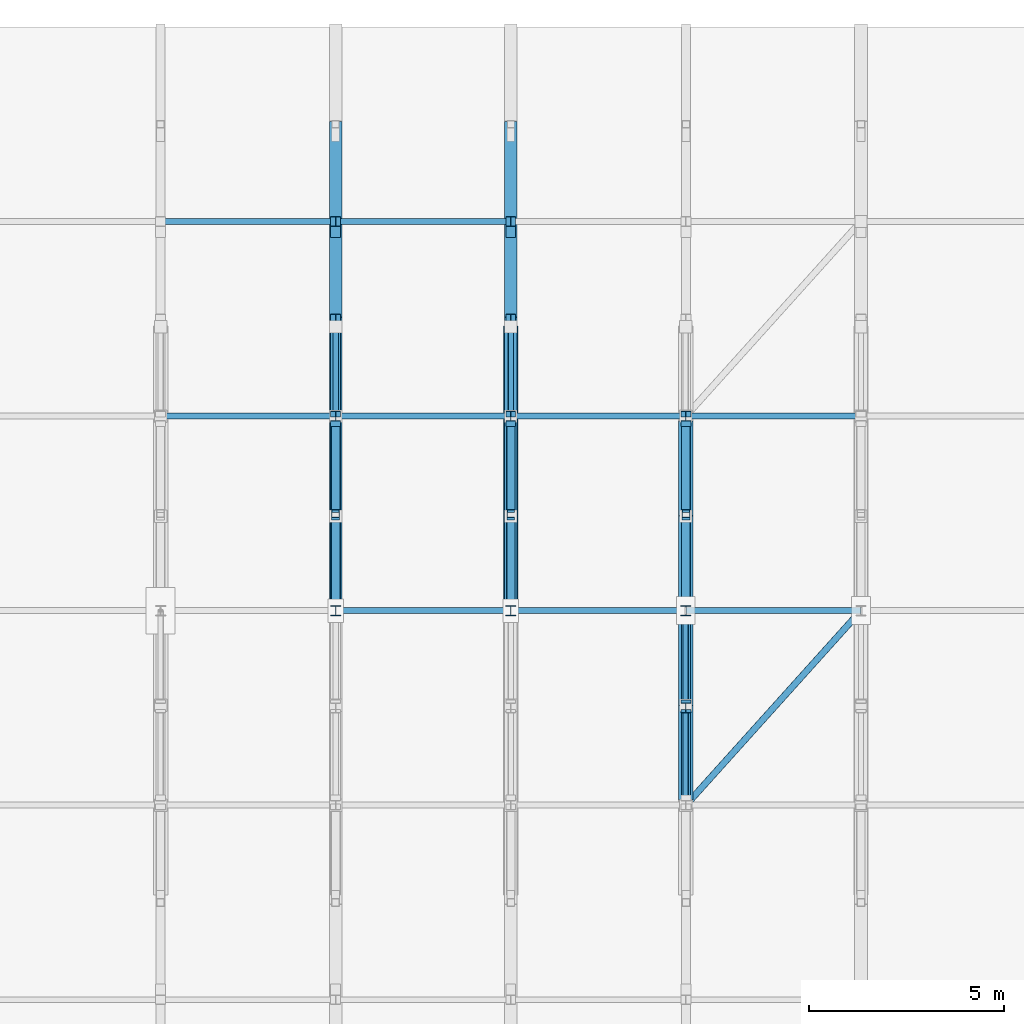
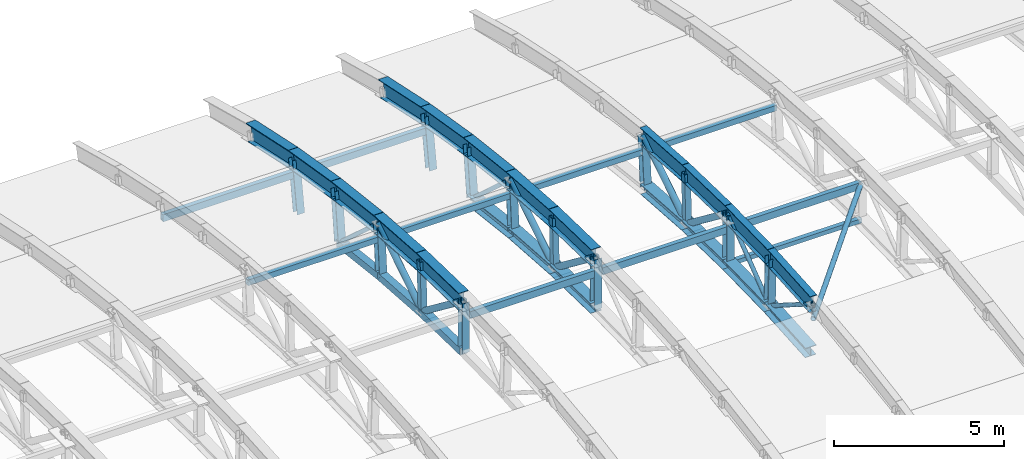
# One storey, part 18 of 53: 45 members, 14 beams.
"""IFC4 building model written with IfcOpenShell, lengths in metres."""

from ifc_helpers import new_model, si_unit, direction, frame, origin, origin_2d, place, context, subcontext, project, spatial, hollow_rectangle, hollow_circle, i_section, extrude, material, material_profile, profile_set, type_object, element, save


model = new_model("IFC4")

# Units and contexts
model_context = context("Model", 3, precision=1e-05, world=origin(), true_north=direction((0.0, 1.0)))
body_context = subcontext(model_context, "Body", "Model", "MODEL_VIEW")
ifc_project = project(units=[si_unit("LENGTHUNIT", "METRE"), si_unit("AREAUNIT", "SQUARE_METRE"), si_unit("VOLUMEUNIT", "CUBIC_METRE"), si_unit("PLANEANGLEUNIT", "RADIAN"), si_unit("MASSUNIT", "GRAM", prefix="KILO")], contexts=[model_context])

# Site, building, storey
site_placement = place(None, origin())
site = spatial("IfcSite", under=ifc_project, at=site_placement, CompositionType="ELEMENT")
building_placement = place(site_placement, origin())
building = spatial("IfcBuilding", under=site, at=building_placement, Name="Cazmaro Siding Exhibition Halls", CompositionType="ELEMENT")
storey_placement = place(building_placement, frame((0.0, 0.0, 21.0)))
storey = spatial("IfcBuildingStorey", under=building, at=storey_placement, Name="L04", CompositionType="ELEMENT", Elevation=21.0)

# Beams
ifc_material_1 = material(Name="Steel ASTM A992 Grade 50", Category="steel")
ifc_material_profile_1 = material_profile(ifc_material_1, i_section(OverallWidth=0.327880859375, OverallDepth=0.626953125, WebThickness=0.01708984375, FlangeThickness=0.028076171875, at=origin_2d()), Name="W24X146")
ifc_profile_set_1 = profile_set([ifc_material_profile_1], Name="Steel ASTM A992 Grade 50")
beam_type_1 = type_object("IfcBeamType", Name="AR-01", PredefinedType="USERDEFINED", material=ifc_profile_set_1)
beam_1_placement = place(storey_placement, frame((99.0, 94.0, 2.5), z_axis=(0.0, 0.999730009742, -0.023235912336), x_axis=(-1.0, 0.0, 0.0)))
element("IfcBeam", 1, at=beam_1_placement, inside=storey, type_object=beam_type_1, Name="Space frame barrel vault arched rib AR-01 BM-0835", ObjectType="ARCHED RIB", PredefinedType="USERDEFINED", context=body_context, shape_type="SweptSolid", body=[
    extrude(i_section(OverallWidth=0.327880859375, OverallDepth=0.626953125, WebThickness=0.01708984375, FlangeThickness=0.028076171875, at=origin_2d()), origin(), (0.0, 0.0, 1.0), 2.500732421875),
])
beam_2_placement = place(storey_placement, frame((99.0, 96.5, 2.44189453125), z_axis=(0.0, 0.997537204184, -0.070139334669), x_axis=(-1.0, 0.0, 0.0)))
element("IfcBeam", 2, at=beam_2_placement, inside=storey, type_object=beam_type_1, Name="Space frame barrel vault arched rib AR-01 BM-0836", ObjectType="ARCHED RIB", PredefinedType="USERDEFINED", context=body_context, shape_type="SweptSolid", body=[
    extrude(i_section(OverallWidth=0.327880859375, OverallDepth=0.626953125, WebThickness=0.01708984375, FlangeThickness=0.028076171875, at=origin_2d()), origin(), (0.0, 0.0, 1.0), 2.506103515625),
])
beam_3_placement = place(storey_placement, frame((99.0, 99.0, 2.26611328125), z_axis=(0.0, 0.993147293786, -0.116869383693), x_axis=(-1.0, 0.0, 0.0)))
element("IfcBeam", 3, at=beam_3_placement, inside=storey, type_object=beam_type_1, Name="Space frame barrel vault arched rib AR-01 BM-0837", ObjectType="ARCHED RIB", PredefinedType="USERDEFINED", context=body_context, shape_type="SweptSolid", body=[
    extrude(i_section(OverallWidth=0.327880859375, OverallDepth=0.626953125, WebThickness=0.01708984375, FlangeThickness=0.028076171875, at=origin_2d()), origin(), (0.0, 0.0, 1.0), 2.517333984375),
])
beam_4_placement = place(storey_placement, frame((99.0, 101.5, 1.971923828125), z_axis=(0.0, 0.98649787474, -0.163774061236), x_axis=(-1.0, 0.0, 0.0)))
element("IfcBeam", 4, at=beam_4_placement, inside=storey, type_object=beam_type_1, Name="Space frame barrel vault arched rib AR-01 BM-0838", ObjectType="ARCHED RIB", PredefinedType="USERDEFINED", context=body_context, shape_type="SweptSolid", body=[
    extrude(i_section(OverallWidth=0.327880859375, OverallDepth=0.626953125, WebThickness=0.01708984375, FlangeThickness=0.028076171875, at=origin_2d()), origin(), (0.0, 0.0, 1.0), 2.5341796875),
])
beam_5_placement = place(storey_placement, frame((99.0, 104.0, 1.556884765625), z_axis=(0.0, 0.977710100146, -0.209959424826), x_axis=(-1.0, 0.0, 0.0)))
element("IfcBeam", 5, at=beam_5_placement, inside=storey, type_object=beam_type_1, Name="Space frame barrel vault arched rib AR-01 BM-0839", ObjectType="ARCHED RIB", PredefinedType="USERDEFINED", context=body_context, shape_type="SweptSolid", body=[
    extrude(i_section(OverallWidth=0.327880859375, OverallDepth=0.626953125, WebThickness=0.01708984375, FlangeThickness=0.028076171875, at=origin_2d()), origin(), (0.0, 0.0, 1.0), 2.556884765625),
])
ifc_material_2 = material(Name="Steel ASTM A992 Grade 50", Category="steel")
ifc_material_profile_2 = material_profile(ifc_material_2, i_section(OverallWidth=0.324951171875, OverallDepth=0.612060546875, WebThickness=0.012939453125, FlangeThickness=0.01904296875, at=origin_2d()), Name="W24X104")
ifc_profile_set_2 = profile_set([ifc_material_profile_2], Name="Steel ASTM A992 Grade 50")
beam_type_2 = type_object("IfcBeamType", Name="AR-02", PredefinedType="USERDEFINED", material=ifc_profile_set_2)
beam_6_placement = place(storey_placement, frame((103.5, 94.0, 2.5), z_axis=(0.0, 0.999730009742, -0.023235912336), x_axis=(-1.0, 0.0, 0.0)))
element("IfcBeam", 6, at=beam_6_placement, inside=storey, type_object=beam_type_2, Name="Space frame barrel vault arched rib AR-02 BM-0859", ObjectType="ARCHED RIB", PredefinedType="USERDEFINED", context=body_context, shape_type="SweptSolid", body=[
    extrude(i_section(OverallWidth=0.324951171875, OverallDepth=0.612060546875, WebThickness=0.012939453125, FlangeThickness=0.01904296875, at=origin_2d()), origin(), (0.0, 0.0, 1.0), 2.500732421875),
])
beam_7_placement = place(storey_placement, frame((103.5, 96.5, 2.44189453125), z_axis=(0.0, 0.997537204184, -0.070139334669), x_axis=(-1.0, 0.0, 0.0)))
element("IfcBeam", 7, at=beam_7_placement, inside=storey, type_object=beam_type_2, Name="Space frame barrel vault arched rib AR-02 BM-0860", ObjectType="ARCHED RIB", PredefinedType="USERDEFINED", context=body_context, shape_type="SweptSolid", body=[
    extrude(i_section(OverallWidth=0.324951171875, OverallDepth=0.612060546875, WebThickness=0.012939453125, FlangeThickness=0.01904296875, at=origin_2d()), origin(), (0.0, 0.0, 1.0), 2.506103515625),
])
beam_8_placement = place(storey_placement, frame((103.5, 99.0, 2.26611328125), z_axis=(0.0, 0.993147293786, -0.116869383693), x_axis=(-1.0, 0.0, 0.0)))
element("IfcBeam", 8, at=beam_8_placement, inside=storey, type_object=beam_type_2, Name="Space frame barrel vault arched rib AR-02 BM-0861", ObjectType="ARCHED RIB", PredefinedType="USERDEFINED", context=body_context, shape_type="SweptSolid", body=[
    extrude(i_section(OverallWidth=0.324951171875, OverallDepth=0.612060546875, WebThickness=0.012939453125, FlangeThickness=0.01904296875, at=origin_2d()), origin(), (0.0, 0.0, 1.0), 2.517333984375),
])
beam_9_placement = place(storey_placement, frame((103.5, 101.5, 1.971923828125), z_axis=(0.0, 0.98649787474, -0.163774061236), x_axis=(-1.0, 0.0, 0.0)))
element("IfcBeam", 9, at=beam_9_placement, inside=storey, type_object=beam_type_2, Name="Space frame barrel vault arched rib AR-02 BM-0862", ObjectType="ARCHED RIB", PredefinedType="USERDEFINED", context=body_context, shape_type="SweptSolid", body=[
    extrude(i_section(OverallWidth=0.324951171875, OverallDepth=0.612060546875, WebThickness=0.012939453125, FlangeThickness=0.01904296875, at=origin_2d()), origin(), (0.0, 0.0, 1.0), 2.5341796875),
])
beam_10_placement = place(storey_placement, frame((103.5, 104.0, 1.556884765625), z_axis=(0.0, 0.977710100146, -0.209959424826), x_axis=(-1.0, 0.0, 0.0)))
element("IfcBeam", 10, at=beam_10_placement, inside=storey, type_object=beam_type_2, Name="Space frame barrel vault arched rib AR-02 BM-0863", ObjectType="ARCHED RIB", PredefinedType="USERDEFINED", context=body_context, shape_type="SweptSolid", body=[
    extrude(i_section(OverallWidth=0.324951171875, OverallDepth=0.612060546875, WebThickness=0.012939453125, FlangeThickness=0.01904296875, at=origin_2d()), origin(), (0.0, 0.0, 1.0), 2.556884765625),
])
ifc_material_3 = material(Name="Steel ASTM A992 Grade 50", Category="steel")
ifc_material_profile_3 = material_profile(ifc_material_3, i_section(OverallWidth=0.22900390625, OverallDepth=0.612060546875, WebThickness=0.011962890625, FlangeThickness=0.02001953125, at=origin_2d()), Name="W24X84")
ifc_profile_set_3 = profile_set([ifc_material_profile_3], Name="Steel ASTM A992 Grade 50")
beam_type_3 = type_object("IfcBeamType", Name="AR-03", PredefinedType="USERDEFINED", material=ifc_profile_set_3)
beam_11_placement = place(storey_placement, frame((108.0, 89.0, 2.26611328125), z_axis=(0.0, 0.997537204184, 0.070139334669), x_axis=(-1.0, 0.0, 0.0)))
element("IfcBeam", 11, at=beam_11_placement, inside=storey, type_object=beam_type_3, Name="Space frame barrel vault arched rib AR-03 BM-0881", ObjectType="ARCHED RIB", PredefinedType="USERDEFINED", context=body_context, shape_type="SweptSolid", body=[
    extrude(i_section(OverallWidth=0.22900390625, OverallDepth=0.612060546875, WebThickness=0.011962890625, FlangeThickness=0.02001953125, at=origin_2d()), origin(), (0.0, 0.0, 1.0), 2.506103515625),
])
for number, where, z_axis, x_axis, name in (
    (12, (108.0, 91.5, 2.44189453125), (0.0, 0.999730009742, 0.023235912336), (-1.0, 0.0, 0.0), "Space frame barrel vault arched rib AR-03 BM-0882"),
    (13, (108.0, 94.0, 2.5), (0.0, 0.999730009742, -0.023235912336), (-1.0, 0.0, 0.0), "Space frame barrel vault arched rib AR-03 BM-0883"),
):
    element("IfcBeam", number, at=place(storey_placement, frame(where, z_axis=z_axis, x_axis=x_axis)), inside=storey, type_object=beam_type_3, Name=name, ObjectType="ARCHED RIB", PredefinedType="USERDEFINED", context=body_context, shape_type="SweptSolid", body=[
        extrude(i_section(OverallWidth=0.22900390625, OverallDepth=0.612060546875, WebThickness=0.011962890625, FlangeThickness=0.02001953125, at=origin_2d()), origin(), (0.0, 0.0, 1.0), 2.500732421875),
    ])
beam_12_placement = place(storey_placement, frame((108.0, 96.5, 2.44189453125), z_axis=(0.0, 0.997537204184, -0.070139334669), x_axis=(-1.0, 0.0, 0.0)))
element("IfcBeam", 14, at=beam_12_placement, inside=storey, type_object=beam_type_3, Name="Space frame barrel vault arched rib AR-03 BM-0884", ObjectType="ARCHED RIB", PredefinedType="USERDEFINED", context=body_context, shape_type="SweptSolid", body=[
    extrude(i_section(OverallWidth=0.22900390625, OverallDepth=0.612060546875, WebThickness=0.011962890625, FlangeThickness=0.02001953125, at=origin_2d()), origin(), (0.0, 0.0, 1.0), 2.506103515625),
])

# Members
ifc_material_4 = material(Name="Steel ASTM A500 Grade C", Category="steel")
ifc_material_profile_4 = material_profile(ifc_material_4, hollow_rectangle(XDim=0.152099609375, YDim=0.152099609375, WallThickness=0.009033203125, at=origin_2d()), Name="HSS6X6X3/8")
ifc_profile_set_4 = profile_set([ifc_material_profile_4], Name="Steel ASTM A500 Grade C")
member_type_1 = type_object("IfcMemberType", Name="CS-01", PredefinedType="STRUT", material=ifc_profile_set_4)
member_1_placement = place(storey_placement, frame((108.0, 94.0, 0.699951171875), z_axis=(1.0, 0.0, 0.0), x_axis=(0.0, 1.0, 0.0)))
element("IfcMember", 15, at=member_1_placement, inside=storey, type_object=member_type_1, Name="Space frame vault ridge compression strut CS-01 MEM-2145", PredefinedType="STRUT", context=body_context, shape_type="SweptSolid", body=[
    extrude(hollow_rectangle(XDim=0.152099609375, YDim=0.152099609375, WallThickness=0.009033203125, at=origin_2d()), origin(), (0.0, 0.0, 1.0), 4.5),
])
ifc_material_5 = material(Name="Steel ASTM A500 Grade C", Category="steel")
ifc_material_profile_5 = material_profile(ifc_material_5, hollow_rectangle(XDim=0.152099609375, YDim=0.202880859375, WallThickness=0.011962890625, at=origin_2d()), Name="HSS8X6X1/2")
ifc_profile_set_5 = profile_set([ifc_material_profile_5], Name="Steel ASTM A500 Grade C")
member_type_2 = type_object("IfcMemberType", Name="RP-01", PredefinedType="PURLIN", material=ifc_profile_set_5)
for number, where, z_axis, x_axis, name in (
    (16, (94.5, 99.0, 1.72607421875), (1.0, 0.0, 0.0), (0.0, 1.0, 0.0), "Space frame barrel vault purlin RP-01 MEM-2103"),
    (17, (99.0, 99.0, 1.72607421875), (1.0, 0.0, 0.0), (0.0, 1.0, 0.0), "Space frame barrel vault purlin RP-01 MEM-2114"),
    (18, (103.5, 99.0, 1.72607421875), (1.0, 0.0, 0.0), (0.0, 1.0, 0.0), "Space frame barrel vault purlin RP-01 MEM-2125"),
    (19, (108.0, 99.0, 1.72607421875), (1.0, 0.0, 0.0), (0.0, 1.0, 0.0), "Space frame barrel vault purlin RP-01 MEM-2136"),
):
    element("IfcMember", number, at=place(storey_placement, frame(where, z_axis=z_axis, x_axis=x_axis)), inside=storey, type_object=member_type_2, Name=name, PredefinedType="PURLIN", context=body_context, shape_type="SweptSolid", body=[
        extrude(hollow_rectangle(XDim=0.152099609375, YDim=0.202880859375, WallThickness=0.011962890625, at=origin_2d()), origin(), (0.0, 0.0, 1.0), 4.5),
    ])
ifc_material_6 = material(Name="Steel ASTM A500 Grade C", Category="steel")
ifc_material_profile_6 = material_profile(ifc_material_6, hollow_rectangle(XDim=0.152099609375, YDim=0.25390625, WallThickness=0.011962890625, at=origin_2d()), Name="HSS10X6X1/2")
ifc_profile_set_6 = profile_set([ifc_material_profile_6], Name="Steel ASTM A500 Grade C")
member_type_3 = type_object("IfcMemberType", Name="RP-04", PredefinedType="PURLIN", material=ifc_profile_set_6)
for number, where, z_axis, x_axis, name in (
    (20, (94.5, 104.0, 1.01708984375), (1.0, 0.0, 0.0), (0.0, 1.0, 0.0), "Space frame barrel vault purlin RP-04 MEM-2104"),
    (21, (99.0, 94.0, 1.9599609375), (1.0, 0.0, 0.0), (0.0, 1.0, 0.0), "Space frame barrel vault purlin RP-04 MEM-2113"),
    (22, (99.0, 104.0, 1.01708984375), (1.0, 0.0, 0.0), (0.0, 1.0, 0.0), "Space frame barrel vault purlin RP-04 MEM-2115"),
    (23, (103.5, 94.0, 1.9599609375), (1.0, 0.0, 0.0), (0.0, 1.0, 0.0), "Space frame barrel vault purlin RP-04 MEM-2124"),
    (24, (108.0, 94.0, 1.9599609375), (1.0, 0.0, 0.0), (0.0, 1.0, 0.0), "Space frame barrel vault purlin RP-04 MEM-2135"),
):
    element("IfcMember", number, at=place(storey_placement, frame(where, z_axis=z_axis, x_axis=x_axis)), inside=storey, type_object=member_type_3, Name=name, PredefinedType="PURLIN", context=body_context, shape_type="SweptSolid", body=[
        extrude(hollow_rectangle(XDim=0.152099609375, YDim=0.25390625, WallThickness=0.011962890625, at=origin_2d()), origin(), (0.0, 0.0, 1.0), 4.5),
    ])
ifc_material_7 = material(Name="Steel ASTM A500 Grade C", Category="steel")
ifc_material_profile_7 = material_profile(ifc_material_7, hollow_rectangle(XDim=0.25390625, YDim=0.25390625, WallThickness=0.014892578125, at=origin_2d()), Name="HSS10X10X5/8")
ifc_profile_set_7 = profile_set([ifc_material_profile_7], Name="Steel ASTM A500 Grade C")
member_type_4 = type_object("IfcMemberType", Name="TC-01", PredefinedType="CHORD", material=ifc_profile_set_7)
member_2_placement = place(storey_placement, frame((99.0, 94.0, 0.699951171875), z_axis=(0.0, 0.99973541783, -0.023002050707), x_axis=(-1.0, 0.0, 0.0)))
element("IfcMember", 25, at=member_2_placement, inside=storey, type_object=member_type_4, Name="Space frame barrel vault bottom chord TC-01 MEM-0829", PredefinedType="CHORD", context=body_context, shape_type="SweptSolid", body=[
    extrude(hollow_rectangle(XDim=0.25390625, YDim=0.25390625, WallThickness=0.014892578125, at=origin_2d()), origin(), (0.0, 0.0, 1.0), 2.4306640625),
])
member_3_placement = place(storey_placement, frame((99.0, 96.429931640625, 0.64404296875), z_axis=(0.0, 0.997529419526, -0.070249962135), x_axis=(-1.0, 0.0, 0.0)))
element("IfcMember", 26, at=member_3_placement, inside=storey, type_object=member_type_4, Name="Space frame barrel vault bottom chord TC-01 MEM-0831", PredefinedType="CHORD", context=body_context, shape_type="SweptSolid", body=[
    extrude(hollow_rectangle(XDim=0.25390625, YDim=0.25390625, WallThickness=0.014892578125, at=origin_2d()), origin(), (0.0, 0.0, 1.0), 2.436279296875),
])
member_4_placement = place(storey_placement, frame((99.0, 98.860107421875, 0.472900390625), z_axis=(0.0, 0.993149923187, -0.116847037079), x_axis=(-1.0, 0.0, 0.0)))
element("IfcMember", 27, at=member_4_placement, inside=storey, type_object=member_type_4, Name="Space frame barrel vault bottom chord TC-01 MEM-0833", PredefinedType="CHORD", context=body_context, shape_type="SweptSolid", body=[
    extrude(hollow_rectangle(XDim=0.25390625, YDim=0.25390625, WallThickness=0.014892578125, at=origin_2d()), origin(), (0.0, 0.0, 1.0), 2.44677734375),
])
ifc_material_8 = material(Name="Steel ASTM A992 Grade 50", Category="steel")
ifc_material_profile_8 = material_profile(ifc_material_8, i_section(OverallWidth=0.37109375, OverallDepth=0.364013671875, WebThickness=0.012939453125, FlangeThickness=0.02197265625, at=origin_2d()), Name="W14X109")
ifc_profile_set_8 = profile_set([ifc_material_profile_8], Name="Steel ASTM A992 Grade 50")
member_type_5 = type_object("IfcMemberType", Name="TC-06", PredefinedType="CHORD", material=ifc_profile_set_8)
member_5_placement = place(storey_placement, frame((103.5, 94.0, 0.699951171875), z_axis=(0.0, 0.99973541783, -0.023002050707), x_axis=(-1.0, 0.0, 0.0)))
element("IfcMember", 28, at=member_5_placement, inside=storey, type_object=member_type_5, Name="Space frame barrel vault bottom chord TC-06 MEM-0900", PredefinedType="CHORD", context=body_context, shape_type="SweptSolid", body=[
    extrude(i_section(OverallWidth=0.37109375, OverallDepth=0.364013671875, WebThickness=0.012939453125, FlangeThickness=0.02197265625, at=origin_2d()), origin(), (0.0, 0.0, 1.0), 2.4306640625),
])
member_6_placement = place(storey_placement, frame((103.5, 96.429931640625, 0.64404296875), z_axis=(0.0, 0.997529419526, -0.070249962135), x_axis=(-1.0, 0.0, 0.0)))
element("IfcMember", 29, at=member_6_placement, inside=storey, type_object=member_type_5, Name="Space frame barrel vault bottom chord TC-06 MEM-0902", PredefinedType="CHORD", context=body_context, shape_type="SweptSolid", body=[
    extrude(i_section(OverallWidth=0.37109375, OverallDepth=0.364013671875, WebThickness=0.012939453125, FlangeThickness=0.02197265625, at=origin_2d()), origin(), (0.0, 0.0, 1.0), 2.436279296875),
])
member_7_placement = place(storey_placement, frame((103.5, 98.860107421875, 0.472900390625), z_axis=(0.0, 0.993149923187, -0.116847037079), x_axis=(-1.0, 0.0, 0.0)))
element("IfcMember", 30, at=member_7_placement, inside=storey, type_object=member_type_5, Name="Space frame barrel vault bottom chord TC-06 MEM-0904", PredefinedType="CHORD", context=body_context, shape_type="SweptSolid", body=[
    extrude(i_section(OverallWidth=0.37109375, OverallDepth=0.364013671875, WebThickness=0.012939453125, FlangeThickness=0.02197265625, at=origin_2d()), origin(), (0.0, 0.0, 1.0), 2.44677734375),
])
member_8_placement = place(storey_placement, frame((108.0, 89.139892578125, 0.472900390625), z_axis=(0.0, 0.997529419526, 0.070249962135), x_axis=(-1.0, 0.0, 0.0)))
element("IfcMember", 31, at=member_8_placement, inside=storey, type_object=member_type_5, Name="Space frame barrel vault bottom chord TC-06 MEM-0967", PredefinedType="CHORD", context=body_context, shape_type="SweptSolid", body=[
    extrude(i_section(OverallWidth=0.37109375, OverallDepth=0.364013671875, WebThickness=0.012939453125, FlangeThickness=0.02197265625, at=origin_2d()), origin(), (0.0, 0.0, 1.0), 2.436279296875),
])
for number, where, z_axis, x_axis, name in (
    (32, (108.0, 91.570068359375, 0.64404296875), (0.0, 0.99973541783, 0.023002050707), (-1.0, 0.0, 0.0), "Space frame barrel vault bottom chord TC-06 MEM-0969"),
    (33, (108.0, 94.0, 0.699951171875), (0.0, 0.99973541783, -0.023002050707), (-1.0, 0.0, 0.0), "Space frame barrel vault bottom chord TC-06 MEM-0971"),
):
    element("IfcMember", number, at=place(storey_placement, frame(where, z_axis=z_axis, x_axis=x_axis)), inside=storey, type_object=member_type_5, Name=name, PredefinedType="CHORD", context=body_context, shape_type="SweptSolid", body=[
        extrude(i_section(OverallWidth=0.37109375, OverallDepth=0.364013671875, WebThickness=0.012939453125, FlangeThickness=0.02197265625, at=origin_2d()), origin(), (0.0, 0.0, 1.0), 2.4306640625),
    ])
member_9_placement = place(storey_placement, frame((108.0, 96.429931640625, 0.64404296875), z_axis=(0.0, 0.997529419526, -0.070249962135), x_axis=(-1.0, 0.0, 0.0)))
element("IfcMember", 34, at=member_9_placement, inside=storey, type_object=member_type_5, Name="Space frame barrel vault bottom chord TC-06 MEM-0973", PredefinedType="CHORD", context=body_context, shape_type="SweptSolid", body=[
    extrude(i_section(OverallWidth=0.37109375, OverallDepth=0.364013671875, WebThickness=0.012939453125, FlangeThickness=0.02197265625, at=origin_2d()), origin(), (0.0, 0.0, 1.0), 2.436279296875),
])
ifc_material_9 = material(Name="Steel ASTM A500 Grade C", Category="steel")
ifc_material_profile_9 = material_profile(ifc_material_9, hollow_rectangle(XDim=0.202880859375, YDim=0.202880859375, WallThickness=0.011962890625, at=origin_2d()), Name="HSS8X8X1/2")
ifc_profile_set_9 = profile_set([ifc_material_profile_9], Name="Steel ASTM A500 Grade C")
member_type_6 = type_object("IfcMemberType", Name="TP-01", PredefinedType="POST", material=ifc_profile_set_9)
for number, where, z_axis, x_axis, name in (
    (35, (99.0, 96.429931640625, 0.64404296875), (0.0, 0.038943818889, 0.999241401749), (-1.0, 0.0, 0.0), "Space frame barrel vault post TP-01 MEM-0865"),
    (36, (103.5, 96.429931640625, 0.64404296875), (0.0, 0.038943818889, 0.999241401749), (-1.0, 0.0, 0.0), "Space frame barrel vault post TP-01 MEM-0936"),
    (37, (108.0, 96.429931640625, 0.64404296875), (0.0, 0.038943818889, 0.999241401749), (-1.0, 0.0, 0.0), "Space frame barrel vault post TP-01 MEM-1007"),
):
    element("IfcMember", number, at=place(storey_placement, frame(where, z_axis=z_axis, x_axis=x_axis)), inside=storey, type_object=member_type_6, Name=name, PredefinedType="POST", context=body_context, shape_type="SweptSolid", body=[
        extrude(hollow_rectangle(XDim=0.202880859375, YDim=0.202880859375, WallThickness=0.011962890625, at=origin_2d()), origin(), (0.0, 0.0, 1.0), 1.79931640625),
    ])
ifc_material_10 = material(Name="Steel ASTM A992 Grade 50", Category="steel")
ifc_material_profile_10 = material_profile(ifc_material_10, i_section(OverallWidth=0.25390625, OverallDepth=0.25390625, WebThickness=0.009033203125, FlangeThickness=0.013916015625, at=origin_2d()), Name="W10X49")
ifc_profile_set_10 = profile_set([ifc_material_profile_10], Name="Steel ASTM A992 Grade 50")
member_type_7 = type_object("IfcMemberType", Name="TP-04", PredefinedType="POST", material=ifc_profile_set_10)
member_10_placement = place(storey_placement, frame((99.0, 94.0, 0.699951171875), z_axis=(0.0, 0.0, 1.0), x_axis=(1.0, 0.0, 0.0)))
element("IfcMember", 38, at=member_10_placement, inside=storey, type_object=member_type_7, Name="Space frame barrel vault post TP-04 MEM-0864", PredefinedType="POST", context=body_context, shape_type="SweptSolid", body=[
    extrude(i_section(OverallWidth=0.25390625, OverallDepth=0.25390625, WebThickness=0.009033203125, FlangeThickness=0.013916015625, at=origin_2d()), origin(), (0.0, 0.0, 1.0), 1.800048828125),
])
member_11_placement = place(storey_placement, frame((99.0, 98.860107421875, 0.472900390625), z_axis=(0.0, 0.077775943468, 0.996970863475), x_axis=(-1.0, 0.0, 0.0)))
element("IfcMember", 39, at=member_11_placement, inside=storey, type_object=member_type_7, Name="Space frame barrel vault post TP-04 MEM-0866", PredefinedType="POST", context=body_context, shape_type="SweptSolid", body=[
    extrude(i_section(OverallWidth=0.25390625, OverallDepth=0.25390625, WebThickness=0.009033203125, FlangeThickness=0.013916015625, at=origin_2d()), origin(), (0.0, 0.0, 1.0), 1.798583984375),
])
member_12_placement = place(storey_placement, frame((99.0, 101.2900390625, 0.18701171875), z_axis=(0.0, 0.116825484133, 0.993152458718), x_axis=(-1.0, 0.0, 0.0)))
element("IfcMember", 40, at=member_12_placement, inside=storey, type_object=member_type_7, Name="Space frame barrel vault post TP-04 MEM-0867", PredefinedType="POST", context=body_context, shape_type="SweptSolid", body=[
    extrude(i_section(OverallWidth=0.25390625, OverallDepth=0.25390625, WebThickness=0.009033203125, FlangeThickness=0.013916015625, at=origin_2d()), origin(), (0.0, 0.0, 1.0), 1.797119140625),
])
member_13_placement = place(storey_placement, frame((99.0, 103.719970703125, -0.217041015625), z_axis=(0.0, 0.155927668857, 0.987768475952), x_axis=(-1.0, 0.0, 0.0)))
element("IfcMember", 41, at=member_13_placement, inside=storey, type_object=member_type_7, Name="Space frame barrel vault post TP-04 MEM-0868", PredefinedType="POST", context=body_context, shape_type="SweptSolid", body=[
    extrude(i_section(OverallWidth=0.25390625, OverallDepth=0.25390625, WebThickness=0.009033203125, FlangeThickness=0.013916015625, at=origin_2d()), origin(), (0.0, 0.0, 1.0), 1.7958984375),
])
member_14_placement = place(storey_placement, frame((103.5, 94.0, 0.699951171875), z_axis=(0.0, 0.0, 1.0), x_axis=(1.0, 0.0, 0.0)))
element("IfcMember", 42, at=member_14_placement, inside=storey, type_object=member_type_7, Name="Space frame barrel vault post TP-04 MEM-0935", PredefinedType="POST", context=body_context, shape_type="SweptSolid", body=[
    extrude(i_section(OverallWidth=0.25390625, OverallDepth=0.25390625, WebThickness=0.009033203125, FlangeThickness=0.013916015625, at=origin_2d()), origin(), (0.0, 0.0, 1.0), 1.800048828125),
])
member_15_placement = place(storey_placement, frame((103.5, 98.860107421875, 0.472900390625), z_axis=(0.0, 0.077775943468, 0.996970863475), x_axis=(-1.0, 0.0, 0.0)))
element("IfcMember", 43, at=member_15_placement, inside=storey, type_object=member_type_7, Name="Space frame barrel vault post TP-04 MEM-0937", PredefinedType="POST", context=body_context, shape_type="SweptSolid", body=[
    extrude(i_section(OverallWidth=0.25390625, OverallDepth=0.25390625, WebThickness=0.009033203125, FlangeThickness=0.013916015625, at=origin_2d()), origin(), (0.0, 0.0, 1.0), 1.798583984375),
])
member_16_placement = place(storey_placement, frame((103.5, 101.2900390625, 0.18701171875), z_axis=(0.0, 0.116825484133, 0.993152458718), x_axis=(-1.0, 0.0, 0.0)))
element("IfcMember", 44, at=member_16_placement, inside=storey, type_object=member_type_7, Name="Space frame barrel vault post TP-04 MEM-0938", PredefinedType="POST", context=body_context, shape_type="SweptSolid", body=[
    extrude(i_section(OverallWidth=0.25390625, OverallDepth=0.25390625, WebThickness=0.009033203125, FlangeThickness=0.013916015625, at=origin_2d()), origin(), (0.0, 0.0, 1.0), 1.797119140625),
])
member_17_placement = place(storey_placement, frame((103.5, 103.719970703125, -0.217041015625), z_axis=(0.0, 0.155927668857, 0.987768475952), x_axis=(-1.0, 0.0, 0.0)))
element("IfcMember", 45, at=member_17_placement, inside=storey, type_object=member_type_7, Name="Space frame barrel vault post TP-04 MEM-0939", PredefinedType="POST", context=body_context, shape_type="SweptSolid", body=[
    extrude(i_section(OverallWidth=0.25390625, OverallDepth=0.25390625, WebThickness=0.009033203125, FlangeThickness=0.013916015625, at=origin_2d()), origin(), (0.0, 0.0, 1.0), 1.7958984375),
])
member_18_placement = place(storey_placement, frame((108.0, 91.570068359375, 0.64404296875), z_axis=(0.0, -0.038943818889, 0.999241401749), x_axis=(1.0, 0.0, 0.0)))
element("IfcMember", 46, at=member_18_placement, inside=storey, type_object=member_type_7, Name="Space frame barrel vault post TP-04 MEM-1005", PredefinedType="POST", context=body_context, shape_type="SweptSolid", body=[
    extrude(i_section(OverallWidth=0.25390625, OverallDepth=0.25390625, WebThickness=0.009033203125, FlangeThickness=0.013916015625, at=origin_2d()), origin(), (0.0, 0.0, 1.0), 1.79931640625),
])
member_19_placement = place(storey_placement, frame((108.0, 94.0, 0.699951171875), z_axis=(0.0, 0.0, 1.0), x_axis=(1.0, 0.0, 0.0)))
element("IfcMember", 47, at=member_19_placement, inside=storey, type_object=member_type_7, Name="Space frame barrel vault post TP-04 MEM-1006", PredefinedType="POST", context=body_context, shape_type="SweptSolid", body=[
    extrude(i_section(OverallWidth=0.25390625, OverallDepth=0.25390625, WebThickness=0.009033203125, FlangeThickness=0.013916015625, at=origin_2d()), origin(), (0.0, 0.0, 1.0), 1.800048828125),
])
member_20_placement = place(storey_placement, frame((108.0, 98.860107421875, 0.472900390625), z_axis=(0.0, 0.077775943468, 0.996970863475), x_axis=(-1.0, 0.0, 0.0)))
element("IfcMember", 48, at=member_20_placement, inside=storey, type_object=member_type_7, Name="Space frame barrel vault post TP-04 MEM-1008", PredefinedType="POST", context=body_context, shape_type="SweptSolid", body=[
    extrude(i_section(OverallWidth=0.25390625, OverallDepth=0.25390625, WebThickness=0.009033203125, FlangeThickness=0.013916015625, at=origin_2d()), origin(), (0.0, 0.0, 1.0), 1.798583984375),
])
ifc_material_11 = material(Name="Steel ASTM A500 Grade C", Category="steel")
ifc_material_profile_11 = material_profile(ifc_material_11, hollow_circle(Radius=0.109619140625, WallThickness=0.012939453125, at=origin_2d()), Name="PIPE8XS")
ifc_profile_set_11 = profile_set([ifc_material_profile_11], Name="Steel ASTM A500 Grade C")
member_type_8 = type_object("IfcMemberType", Name="WB-01", PredefinedType="BRACE", material=ifc_profile_set_11)
member_21_placement = place(storey_placement, frame((99.0, 94.0, 2.5), z_axis=(0.0, 0.794708988455, -0.60699062898), x_axis=(-1.0, 0.0, 0.0)))
element("IfcMember", 49, at=member_21_placement, inside=storey, type_object=member_type_8, Name="Space frame barrel vault diagonal WB-01 MEM-0830", PredefinedType="BRACE", context=body_context, shape_type="SweptSolid", body=[
    extrude(hollow_circle(Radius=0.109619140625, WallThickness=0.012939453125, at=origin_2d()), origin(), (0.0, 0.0, 1.0), 3.0576171875),
])
member_22_placement = place(storey_placement, frame((99.0, 96.429931640625, 0.64404296875), z_axis=(0.0, 0.84565684294, 0.533726993872), x_axis=(-1.0, 0.0, 0.0)))
element("IfcMember", 50, at=member_22_placement, inside=storey, type_object=member_type_8, Name="Space frame barrel vault diagonal WB-01 MEM-0832", PredefinedType="BRACE", context=body_context, shape_type="SweptSolid", body=[
    extrude(hollow_circle(Radius=0.109619140625, WallThickness=0.012939453125, at=origin_2d()), origin(), (0.0, 0.0, 1.0), 3.0390625),
])
member_23_placement = place(storey_placement, frame((103.5, 94.0, 2.5), z_axis=(0.0, 0.794708988455, -0.60699062898), x_axis=(-1.0, 0.0, 0.0)))
element("IfcMember", 51, at=member_23_placement, inside=storey, type_object=member_type_8, Name="Space frame barrel vault diagonal WB-01 MEM-0901", PredefinedType="BRACE", context=body_context, shape_type="SweptSolid", body=[
    extrude(hollow_circle(Radius=0.109619140625, WallThickness=0.012939453125, at=origin_2d()), origin(), (0.0, 0.0, 1.0), 3.0576171875),
])
member_24_placement = place(storey_placement, frame((103.5, 96.429931640625, 0.64404296875), z_axis=(0.0, 0.84565684294, 0.533726993872), x_axis=(-1.0, 0.0, 0.0)))
element("IfcMember", 52, at=member_24_placement, inside=storey, type_object=member_type_8, Name="Space frame barrel vault diagonal WB-01 MEM-0903", PredefinedType="BRACE", context=body_context, shape_type="SweptSolid", body=[
    extrude(hollow_circle(Radius=0.109619140625, WallThickness=0.012939453125, at=origin_2d()), origin(), (0.0, 0.0, 1.0), 3.0390625),
])
member_25_placement = place(storey_placement, frame((108.0, 94.0, 2.5), z_axis=(0.0, 0.794708988455, -0.60699062898), x_axis=(-1.0, 0.0, 0.0)))
element("IfcMember", 53, at=member_25_placement, inside=storey, type_object=member_type_8, Name="Space frame barrel vault diagonal WB-01 MEM-0972", PredefinedType="BRACE", context=body_context, shape_type="SweptSolid", body=[
    extrude(hollow_circle(Radius=0.109619140625, WallThickness=0.012939453125, at=origin_2d()), origin(), (0.0, 0.0, 1.0), 3.0576171875),
])
member_26_placement = place(storey_placement, frame((108.0, 96.429931640625, 0.64404296875), z_axis=(0.0, 0.84565684294, 0.533726993872), x_axis=(-1.0, 0.0, 0.0)))
element("IfcMember", 54, at=member_26_placement, inside=storey, type_object=member_type_8, Name="Space frame barrel vault diagonal WB-01 MEM-0974", PredefinedType="BRACE", context=body_context, shape_type="SweptSolid", body=[
    extrude(hollow_circle(Radius=0.109619140625, WallThickness=0.012939453125, at=origin_2d()), origin(), (0.0, 0.0, 1.0), 3.0390625),
])
ifc_material_12 = material(Name="Steel ASTM A500 Grade C", Category="steel")
ifc_material_profile_12 = material_profile(ifc_material_12, hollow_circle(Radius=0.083984375, WallThickness=0.01806640625, at=origin_2d()), Name="PIPE6XXS")
ifc_profile_set_12 = profile_set([ifc_material_profile_12], Name="Steel ASTM A500 Grade C")
member_type_9 = type_object("IfcMemberType", Name="WB-05", PredefinedType="BRACE", material=ifc_profile_set_12)
member_27_placement = place(storey_placement, frame((108.0, 89.0, 1.72607421875), z_axis=(0.668560740132, 0.742845266814, 0.034748328399), x_axis=(-0.743294146247, 0.668964731622, 0.0)))
element("IfcMember", 55, at=member_27_placement, inside=storey, type_object=member_type_9, Name="Space frame barrel vault wind brace WB-05 MEM-2142", PredefinedType="BRACE", context=body_context, shape_type="SweptSolid", body=[
    extrude(hollow_circle(Radius=0.083984375, WallThickness=0.01806640625, at=origin_2d()), origin(), (0.0, 0.0, 1.0), 6.73095703125),
])
ifc_material_13 = material(Name="Steel ASTM A500 Grade C", Category="steel")
ifc_material_profile_13 = material_profile(ifc_material_13, hollow_circle(Radius=0.070556640625, WallThickness=0.01904296875, at=origin_2d()), Name="PIPE5XXS")
ifc_profile_set_13 = profile_set([ifc_material_profile_13], Name="Steel ASTM A500 Grade C")
member_type_10 = type_object("IfcMemberType", Name="WB-07", PredefinedType="BRACE", material=ifc_profile_set_13)
for number, where, z_axis, x_axis, name in (
    (56, (99.0, 99.0, 2.26611328125), (0.0, 0.740382789782, -0.672185483772), (-1.0, 0.0, 0.0), "Space frame barrel vault diagonal WB-07 MEM-0834"),
    (57, (103.5, 99.0, 2.26611328125), (0.0, 0.740382789782, -0.672185483772), (-1.0, 0.0, 0.0), "Space frame barrel vault diagonal WB-07 MEM-0905"),
):
    element("IfcMember", number, at=place(storey_placement, frame(where, z_axis=z_axis, x_axis=x_axis)), inside=storey, type_object=member_type_10, Name=name, PredefinedType="BRACE", context=body_context, shape_type="SweptSolid", body=[
        extrude(hollow_circle(Radius=0.070556640625, WallThickness=0.01904296875, at=origin_2d()), origin(), (0.0, 0.0, 1.0), 3.093017578125),
    ])
member_28_placement = place(storey_placement, frame((108.0, 89.0, 2.26611328125), z_axis=(0.0, 0.84565684294, -0.533726993872), x_axis=(-1.0, 0.0, 0.0)))
element("IfcMember", 58, at=member_28_placement, inside=storey, type_object=member_type_10, Name="Space frame barrel vault diagonal WB-07 MEM-0968", PredefinedType="BRACE", context=body_context, shape_type="SweptSolid", body=[
    extrude(hollow_circle(Radius=0.070556640625, WallThickness=0.01904296875, at=origin_2d()), origin(), (0.0, 0.0, 1.0), 3.0390625),
])
member_29_placement = place(storey_placement, frame((108.0, 91.570068359375, 0.64404296875), z_axis=(0.0, 0.794708988455, 0.60699062898), x_axis=(-1.0, 0.0, 0.0)))
element("IfcMember", 59, at=member_29_placement, inside=storey, type_object=member_type_10, Name="Space frame barrel vault diagonal WB-07 MEM-0970", PredefinedType="BRACE", context=body_context, shape_type="SweptSolid", body=[
    extrude(hollow_circle(Radius=0.070556640625, WallThickness=0.01904296875, at=origin_2d()), origin(), (0.0, 0.0, 1.0), 3.0576171875),
])

save(model, "model.ifc")
